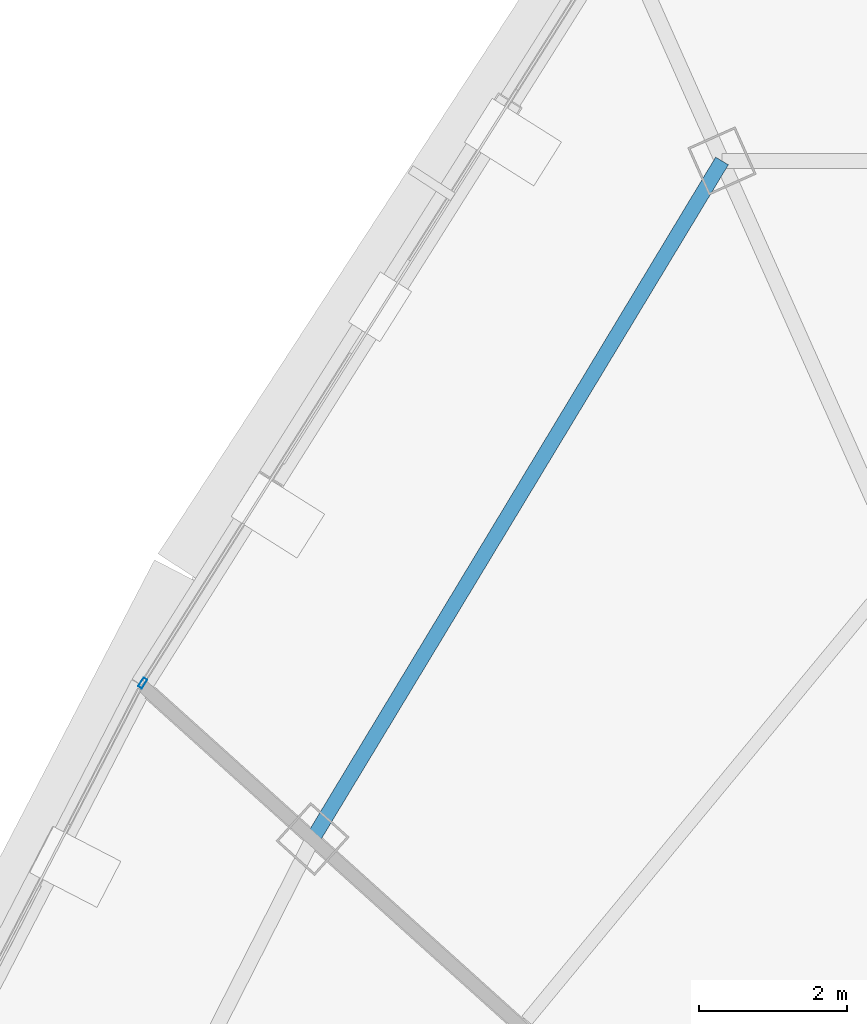
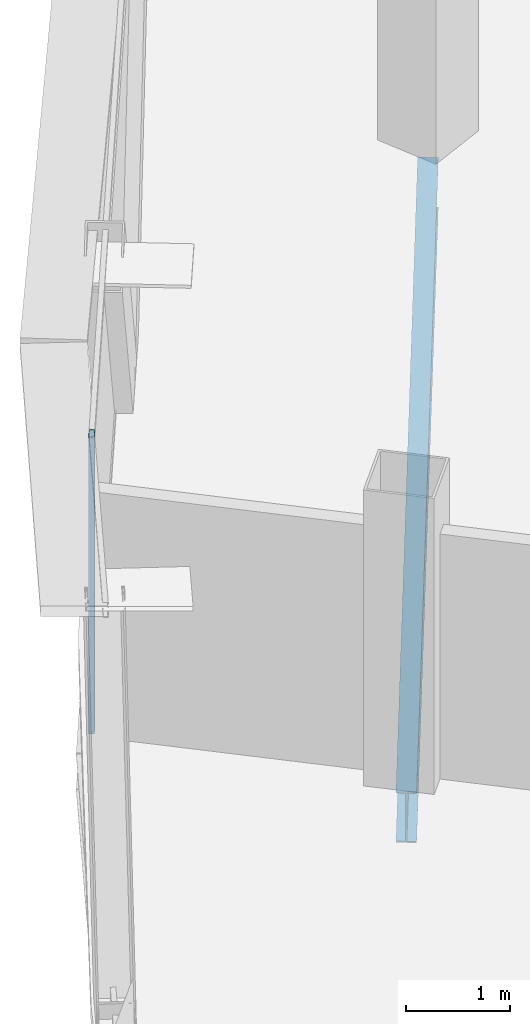
# One storey, part 9 of 27: 1 beam, 1 member, 1 element without a shape of its own.
"""IFC4 building model written with IfcOpenShell, lengths in metres."""

from ifc_helpers import new_model, si_unit, direction, frame, origin, origin_2d, place, context, subcontext, project, spatial, hollow_rectangle, i_section, extrude, source, transform, mapped, material, layer, layer_set, material_profile, profile_set, type_object, element, aggregate, save


model = new_model("IFC4")

# Units and contexts
model_context = context("Model", 3, precision=1e-05, world=origin(), true_north=direction((0.0, 1.0)))
body_context = subcontext(model_context, "Body", "Model", "MODEL_VIEW")
ifc_project = project(units=[si_unit("LENGTHUNIT", "METRE"), si_unit("AREAUNIT", "SQUARE_METRE"), si_unit("VOLUMEUNIT", "CUBIC_METRE"), si_unit("PLANEANGLEUNIT", "RADIAN"), si_unit("MASSUNIT", "GRAM", prefix="KILO"), si_unit("THERMODYNAMICTEMPERATUREUNIT", "KELVIN"), si_unit("POWERUNIT", "WATT")], contexts=[model_context])

# Site, building, storey
site_placement = place(None, origin())
site = spatial("IfcSite", under=ifc_project, at=site_placement, CompositionType="ELEMENT")
building_placement = place(site_placement, origin())
building = spatial("IfcBuilding", under=site, at=building_placement, Name="Yunzhuo Pagoda Commons", CompositionType="ELEMENT")
storey_placement = place(building_placement, frame((0.0, 0.0, 344.260009765625)))
storey = spatial("IfcBuildingStorey", under=building, at=storey_placement, Name="L86", CompositionType="ELEMENT", Elevation=344.260009765625)

# Beam
ifc_material_1 = material(Name="Structural steel Q355B", Category="steel")
ifc_material_profile_1 = material_profile(ifc_material_1, i_section(OverallWidth=0.199951171875, OverallDepth=0.60009765625, WebThickness=0.010986328125, FlangeThickness=0.01708984375, at=origin_2d()), Name="Structural steel Q355B")
ifc_profile_set_1 = profile_set([ifc_material_profile_1], Name="Structural steel Q355B")
beam_type = type_object("IfcBeamType", Name="B-RG3 Beam HN 600x200x11x17", PredefinedType="BEAM", material=ifc_profile_set_1)
shared_shape_1 = source(origin(), body_context, "Body", "SweptSolid", [
    extrude(i_section(OverallWidth=0.199951171875, OverallDepth=0.60009765625, WebThickness=0.010986328125, FlangeThickness=0.01708984375, at=origin_2d()), origin(), (0.0, 0.0, 1.0), 10.691162109375),
])
beam_placement = place(storey_placement, frame((37.501220703125, 57.281005859375, -0.56005859375), z_axis=(-0.516864678433, -0.856067114301, 0.0), x_axis=(0.856067114301, -0.516864678433, 0.0)))
element("IfcBeam", 1, at=beam_placement, inside=storey, type_object=beam_type, Name="L86 column-ring beam 9", PredefinedType="BEAM", context=body_context, shape_type="MappedRepresentation", body=[
    mapped(shared_shape_1, transform((0.0, 0.0, 0.0), scale=1.0)),
])

# Curtain wall, member
ifc_material_2 = material(Name="Anodized aluminium 6063-T6", Category="aluminium")
ifc_layer = layer(ifc_material_2, 0.139892578125)
ifc_layer_set = layer_set([ifc_layer], Name="Anodized aluminium 6063-T6")
curtain_wall_type = type_object("IfcCurtainWallType", Name="CW-HI High-Zone Ribbon Curtain Wall", PredefinedType="NOTDEFINED", material=ifc_layer_set)
curtain_wall_placement = place(storey_placement, origin())
curtain_wall = element("IfcCurtainWall", 2, at=curtain_wall_placement, inside=storey, type_object=curtain_wall_type, Name="L86 curtain wall CW-L86-F3B2", PredefinedType="NOTDEFINED")
ifc_material_profile_2 = material_profile(ifc_material_2, hollow_rectangle(XDim=0.06005859375, YDim=0.139892578125, WallThickness=0.00341796875, at=origin_2d()), Name="Anodized aluminium 6063-T6")
ifc_profile_set_2 = profile_set([ifc_material_profile_2], Name="Anodized aluminium 6063-T6")
member_type = type_object("IfcMemberType", Name="CW-HI-M Mullion RHS 140x60x3.5", PredefinedType="MULLION", material=ifc_profile_set_2)
shared_shape_2 = source(origin(), body_context, "Body", "SweptSolid", [
    extrude(hollow_rectangle(XDim=0.06005859375, YDim=0.139892578125, WallThickness=0.00341796875, at=origin_2d()), origin(), (0.0, 0.0, 1.0), 3.489990234375),
])
member_placement = place(storey_placement, frame((29.681884765625, 50.2333984375, 0.0), z_axis=(0.0, 0.0, 1.0), x_axis=(0.845817518552, -0.533472328532, 0.0)))
member = element("IfcMember", 3, at=member_placement, type_object=member_type, Name="CW mullion 2", PredefinedType="MULLION", context=body_context, shape_type="MappedRepresentation", body=[
    mapped(shared_shape_2, transform((0.0, 0.0, 0.0), scale=1.0)),
])
aggregate(curtain_wall, [member])

save(model, "model.ifc")
